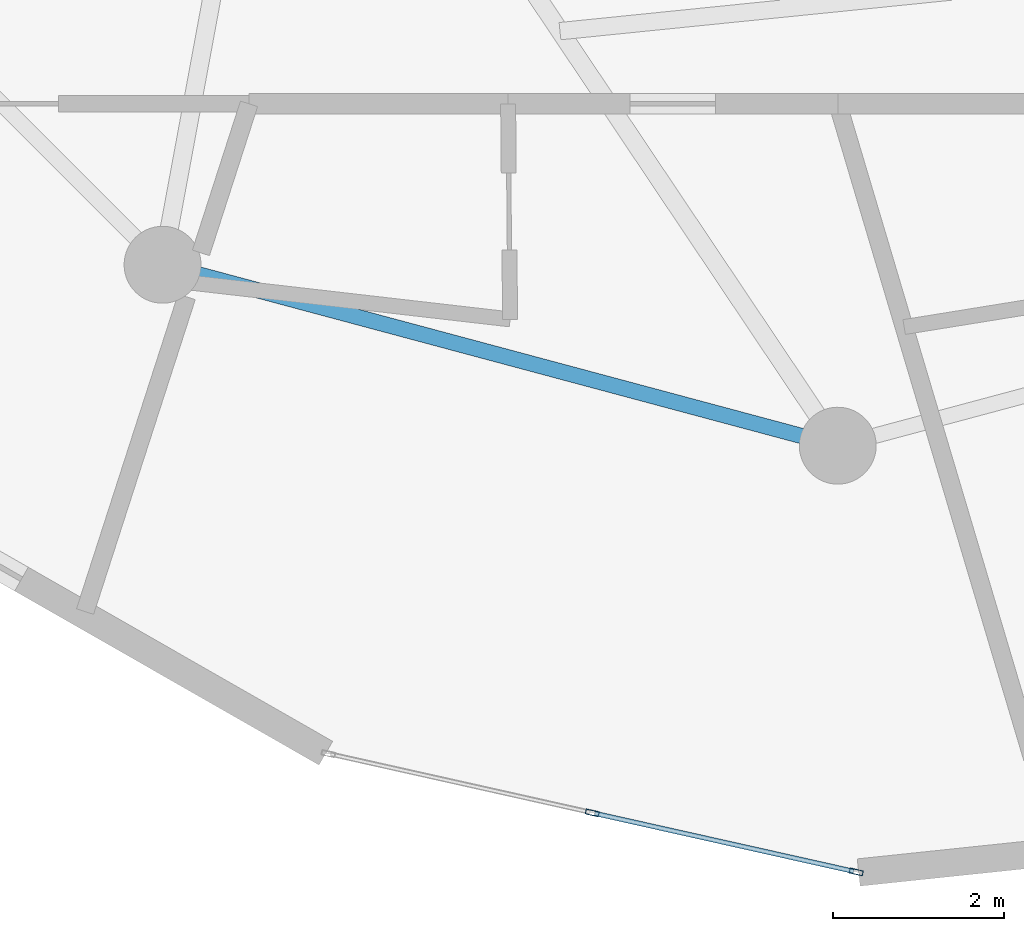
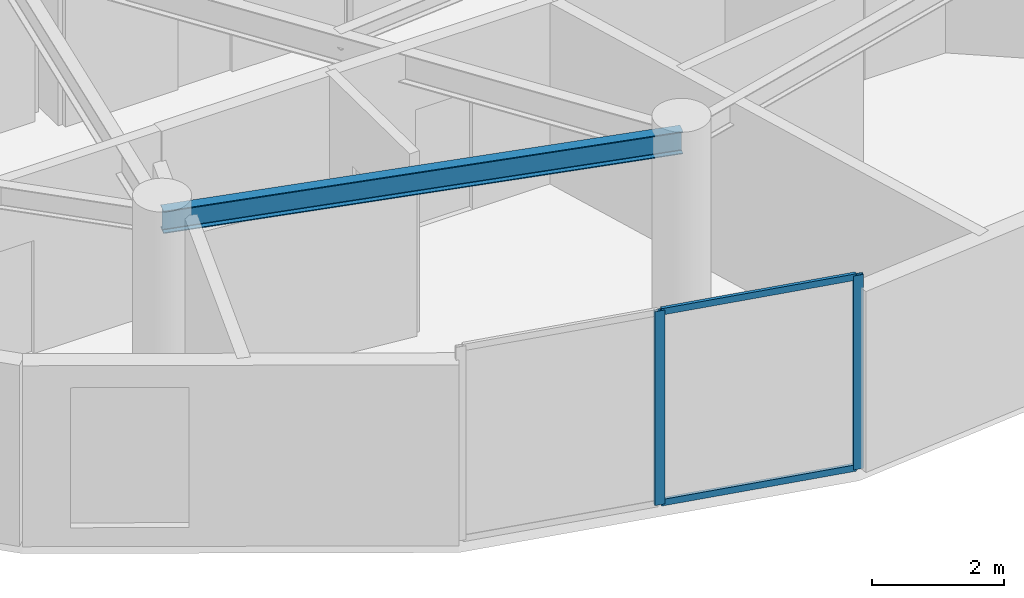
# One storey, part 5 of 23: 4 members, 1 beam, 1 element without a shape of its own.
"""IFC4 building model written with IfcOpenShell, lengths in metres."""

from ifc_helpers import new_model, si_unit, direction, frame, origin, origin_2d, place, context, subcontext, project, spatial, hollow_rectangle, i_section, extrude, source, transform, mapped, material, layer, layer_set, material_profile, profile_set, type_object, element, aggregate, save


model = new_model("IFC4")

# Units and contexts
model_context = context("Model", 3, precision=1e-05, world=origin(), true_north=direction((0.0, 1.0)))
body_context = subcontext(model_context, "Body", "Model", "MODEL_VIEW")
ifc_project = project(units=[si_unit("LENGTHUNIT", "METRE"), si_unit("AREAUNIT", "SQUARE_METRE"), si_unit("VOLUMEUNIT", "CUBIC_METRE"), si_unit("PLANEANGLEUNIT", "RADIAN"), si_unit("MASSUNIT", "GRAM", prefix="KILO")], contexts=[model_context])

# Site, building, storey
site_placement = place(None, origin())
site = spatial("IfcSite", under=ifc_project, at=site_placement, CompositionType="ELEMENT")
building_placement = place(site_placement, origin())
building = spatial("IfcBuilding", under=site, at=building_placement, Name="Solvirekh Grand Hotel", CompositionType="ELEMENT")
storey_placement = place(building_placement, frame((0.0, 0.0, 173.199951171875)))
storey = spatial("IfcBuildingStorey", under=building, at=storey_placement, Name="L44", CompositionType="ELEMENT", Elevation=173.199951171875)

# Beam
ifc_material_1 = material(Name="Steel S355", Category="steel")
ifc_material_profile_1 = material_profile(ifc_material_1, i_section(OverallWidth=0.180908203125, OverallDepth=0.4169921875, WebThickness=0.010009765625, FlangeThickness=0.01611328125, FilletRadius=0.011962890625, at=origin_2d()), Name="W410X85")
ifc_profile_set_1 = profile_set([ifc_material_profile_1], Name="Steel S355")
beam_type = type_object("IfcBeamType", Name="Spandrel_Ring_W410", PredefinedType="SPANDREL", material=ifc_profile_set_1)
beam_placement = place(storey_placement, frame((-7.89990234375, -13.68310546875, 3.152099609375), z_axis=(0.965920601923, -0.258838541915, 0.0), x_axis=(0.258838541915, 0.965920601923, 0.0)))
element("IfcBeam", 1, at=beam_placement, inside=storey, type_object=beam_type, Name="L44 perimeter spandrel beam 9", PredefinedType="SPANDREL", context=body_context, shape_type="SweptSolid", body=[
    extrude(i_section(OverallWidth=0.180908203125, OverallDepth=0.4169921875, WebThickness=0.010009765625, FlangeThickness=0.01611328125, FilletRadius=0.011962890625, at=origin_2d()), origin(), (0.0, 0.0, 1.0), 8.1787109375),
])

# Curtain wall, members
ifc_material_2 = material(Name="Anodized Bronze Aluminium 6063-T6", Category="aluminium")
ifc_layer = layer(ifc_material_2, 0.159912109375)
ifc_layer_set = layer_set([ifc_layer], Name="Anodized Bronze Aluminium 6063-T6")
curtain_wall_type = type_object("IfcCurtainWallType", Name="CW_Sys4_HighZoneFlushBronzeCW", PredefinedType="NOTDEFINED", material=ifc_layer_set)
curtain_wall_placement = place(storey_placement, origin())
curtain_wall = element("IfcCurtainWall", 2, at=curtain_wall_placement, inside=storey, type_object=curtain_wall_type, Name="L44 unitised bronze-glass curtain wall CW-L44-C18", PredefinedType="NOTDEFINED")
ifc_material_profile_2 = material_profile(ifc_material_2, hollow_rectangle(XDim=0.06005859375, YDim=0.159912109375, WallThickness=0.0048828125, at=origin_2d()), Name="ALU RHS 160X60X5")
ifc_profile_set_2 = profile_set([ifc_material_profile_2], Name="Anodized Bronze Aluminium 6063-T6")
member_type_1 = type_object("IfcMemberType", Name="CWMullion_Sys4", PredefinedType="MULLION", material=ifc_profile_set_2)
shared_shape_1 = source(origin(), body_context, "Body", "SweptSolid", [
    extrude(hollow_rectangle(XDim=0.06005859375, YDim=0.159912109375, WallThickness=0.0048828125, at=origin_2d()), origin(), (0.0, 0.0, 1.0), 3.60009765625),
])
member_1_placement = place(storey_placement, frame((-2.87255859375, -20.095947265625, 0.0), z_axis=(0.0, 0.0, 1.0), x_axis=(0.218487916144, 0.975839654092, 0.0)))
member_1 = element("IfcMember", 3, at=member_1_placement, type_object=member_type_1, Name="U04 mullion 2", PredefinedType="MULLION", context=body_context, shape_type="MappedRepresentation", body=[
    mapped(shared_shape_1, transform((0.0, 0.0, 0.0), x_axis=(1.0, 0.0, 0.0), y_axis=(0.0, 1.0, 0.0), z_axis=(0.0, 0.0, 1.0), scale=1.0)),
])
member_2_placement = place(storey_placement, frame((0.2158203125, -20.787353515625, 0.0), z_axis=(0.0, 0.0, 1.0), x_axis=(0.218487916144, 0.975839654092, 0.0)))
member_2 = element("IfcMember", 4, at=member_2_placement, type_object=member_type_1, Name="U04 mullion 3", PredefinedType="MULLION", context=body_context, shape_type="MappedRepresentation", body=[
    mapped(shared_shape_1, transform((0.0, 0.0, 0.0), x_axis=(1.0, 0.0, 0.0), y_axis=(0.0, 1.0, 0.0), z_axis=(0.0, 0.0, 1.0), scale=1.0)),
])
ifc_material_profile_3 = material_profile(ifc_material_2, hollow_rectangle(XDim=0.054931640625, YDim=0.1201171875, WallThickness=0.00390625, at=origin_2d()), Name="ALU RHS 120X55X4")
ifc_profile_set_3 = profile_set([ifc_material_profile_3], Name="Anodized Bronze Aluminium 6063-T6")
member_type_2 = type_object("IfcMemberType", Name="CWTransom_Sys4", PredefinedType="USERDEFINED", material=ifc_profile_set_3)
shared_shape_2 = source(origin(), body_context, "Body", "SweptSolid", [
    extrude(hollow_rectangle(XDim=0.054931640625, YDim=0.1201171875, WallThickness=0.00390625, at=origin_2d()), origin(), (0.0, 0.0, 1.0), 3.104736328125),
])
member_3_placement = place(storey_placement, frame((-2.84326171875, -20.1025390625, 0.027587890625), z_axis=(0.975832380108, -0.218520401638, 0.0), x_axis=(0.218520401638, 0.975832380108, 0.0)))
member_3 = element("IfcMember", 5, at=member_3_placement, type_object=member_type_2, Name="U04 transom 2.1", ObjectType="TRANSOM", PredefinedType="USERDEFINED", context=body_context, shape_type="MappedRepresentation", body=[
    mapped(shared_shape_2, transform((0.0, 0.0, 0.0), x_axis=(1.0, 0.0, 0.0), y_axis=(0.0, 1.0, 0.0), z_axis=(0.0, 0.0, 1.0), scale=1.0)),
])
member_4_placement = place(storey_placement, frame((-2.84326171875, -20.1025390625, 3.572509765625), z_axis=(0.975832380108, -0.218520401638, 0.0), x_axis=(0.218520401638, 0.975832380108, 0.0)))
member_4 = element("IfcMember", 6, at=member_4_placement, type_object=member_type_2, Name="U04 transom 2.2", ObjectType="TRANSOM", PredefinedType="USERDEFINED", context=body_context, shape_type="MappedRepresentation", body=[
    mapped(shared_shape_2, transform((0.0, 0.0, 0.0), x_axis=(1.0, 0.0, 0.0), y_axis=(0.0, 1.0, 0.0), z_axis=(0.0, 0.0, 1.0), scale=1.0)),
])
aggregate(curtain_wall, [member_1, member_2, member_3, member_4])

save(model, "model.ifc")
